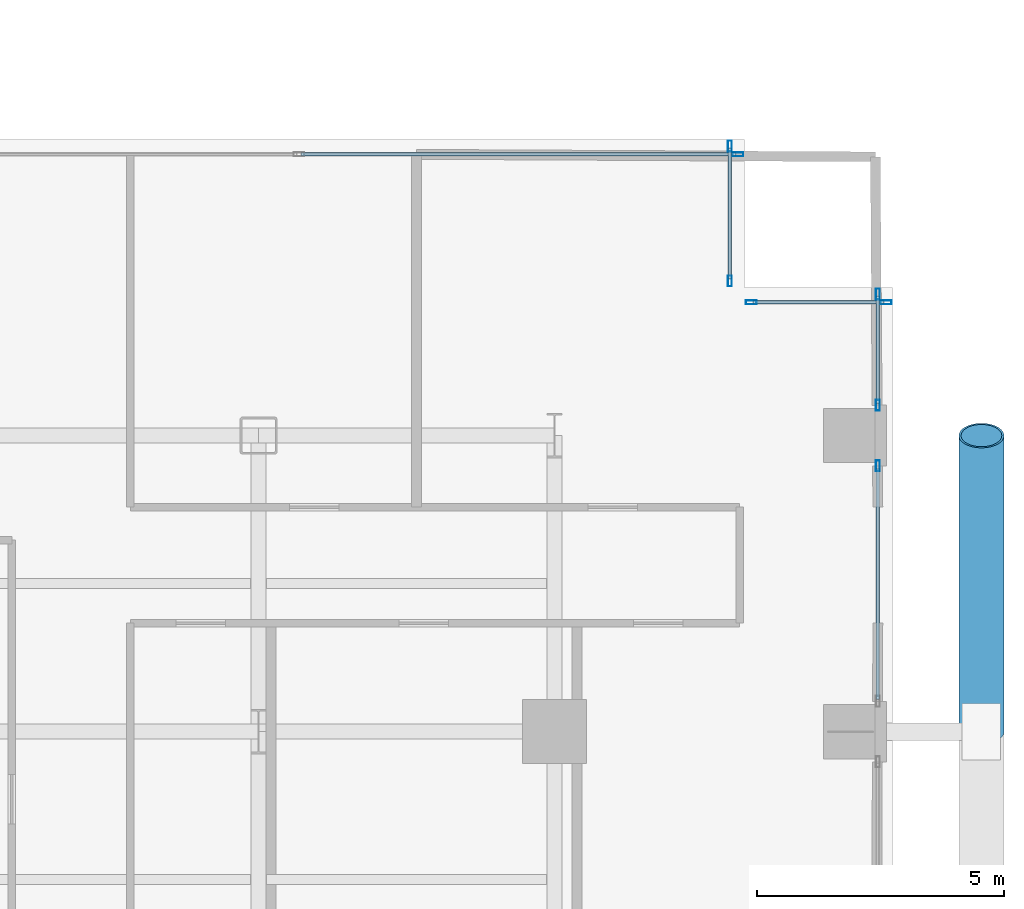
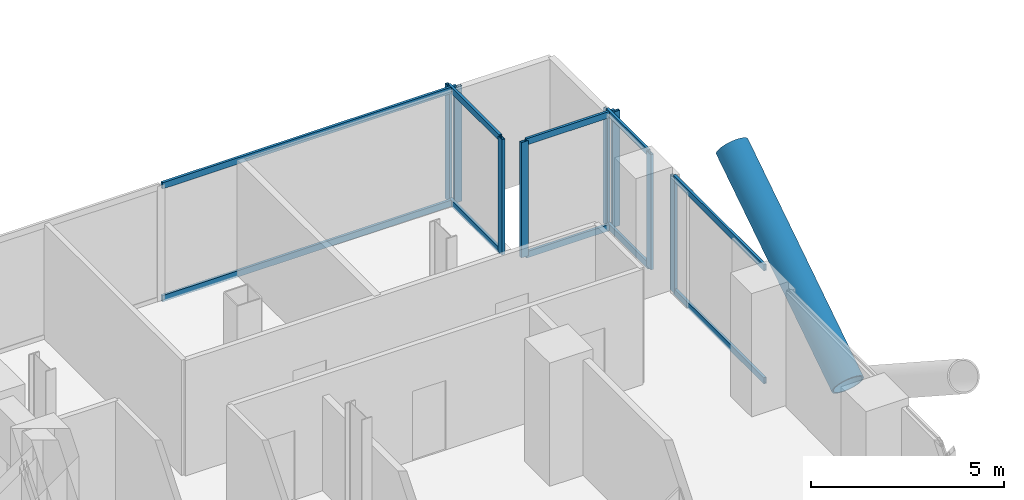
# One storey, part 12 of 25: 19 members, 5 elements without a shape of their own.
"""IFC4 building model written with IfcOpenShell, lengths in metres."""

from ifc_helpers import new_model, si_unit, direction, frame, origin, origin_2d, place, context, subcontext, project, spatial, hollow_rectangle, hollow_circle, extrude, material, layer, layer_set, material_profile, profile_set, type_object, element, aggregate, save


model = new_model("IFC4")

# Units and contexts
model_context = context("Model", 3, precision=1e-05, world=origin(), true_north=direction((0.0, 1.0)))
body_context = subcontext(model_context, "Body", "Model", "MODEL_VIEW")
ifc_project = project(units=[si_unit("LENGTHUNIT", "METRE"), si_unit("AREAUNIT", "SQUARE_METRE"), si_unit("VOLUMEUNIT", "CUBIC_METRE"), si_unit("PLANEANGLEUNIT", "RADIAN"), si_unit("MASSUNIT", "GRAM", prefix="KILO"), si_unit("THERMODYNAMICTEMPERATUREUNIT", "KELVIN"), si_unit("POWERUNIT", "WATT")], contexts=[model_context])

# Site, building, storey
site_placement = place(None, origin())
site = spatial("IfcSite", under=ifc_project, at=site_placement, CompositionType="ELEMENT")
building_placement = place(site_placement, origin())
building = spatial("IfcBuilding", under=site, at=building_placement, Name="Svarakhadi Broadcast Tower", CompositionType="ELEMENT")
storey_placement = place(building_placement, frame((0.0, 0.0, 67.5)))
storey = spatial("IfcBuildingStorey", under=building, at=storey_placement, Name="L15", CompositionType="ELEMENT", Elevation=67.5)

# Curtain wall, member
ifc_material_1 = material(Name="Anodised Bronze Aluminium AA 6063-T6", Category="aluminium")
ifc_layer = layer(ifc_material_1, 0.219970703125)
ifc_layer_set = layer_set([ifc_layer], Name="Anodised Bronze Aluminium AA 6063-T6")
curtain_wall_type = type_object("IfcCurtainWallType", Name="CW_Sys_02", PredefinedType="NOTDEFINED", material=ifc_layer_set)
curtain_wall_1_placement = place(storey_placement, origin())
curtain_wall_1 = element("IfcCurtainWall", 1, at=curtain_wall_1_placement, inside=storey, type_object=curtain_wall_type, Name="L15 Unitised Facade Curtain Wall 10", PredefinedType="NOTDEFINED")
ifc_material_profile_1 = material_profile(ifc_material_1, hollow_rectangle(XDim=0.0849609375, YDim=0.219970703125, WallThickness=0.006103515625, at=origin_2d()), Name="ALU MULLION 220x85x6")
ifc_profile_set_1 = profile_set([ifc_material_profile_1], Name="Anodised Bronze Aluminium AA 6063-T6")
member_type_1 = type_object("IfcMemberType", Name="CW_Sys_02_Mul", PredefinedType="MULLION", material=ifc_profile_set_1)
member_1_placement = place(storey_placement, frame((50.867431640625, 23.699951171875, 0.0), z_axis=(0.0, 0.0, 1.0), x_axis=(0.0, 1.0, 0.0)))
member_1 = element("IfcMember", 2, at=member_1_placement, type_object=member_type_1, Name="CW-02 mullion 4", PredefinedType="MULLION", context=body_context, shape_type="SweptSolid", body=[
    extrude(hollow_rectangle(XDim=0.0849609375, YDim=0.219970703125, WallThickness=0.006103515625, at=origin_2d()), origin(), (0.0, 0.0, 1.0), 3.64990234375),
])

# Curtain wall, members
curtain_wall_2_placement = place(storey_placement, origin())
curtain_wall_2 = element("IfcCurtainWall", 3, at=curtain_wall_2_placement, inside=storey, type_object=curtain_wall_type, Name="L15 Unitised Facade Curtain Wall 11", PredefinedType="NOTDEFINED")
member_2_placement = place(storey_placement, frame((50.699951171875, 23.867431640625, 0.0), z_axis=(0.0, 0.0, 1.0), x_axis=(1.0, 0.0, 0.0)))
member_2 = element("IfcMember", 4, at=member_2_placement, type_object=member_type_1, Name="CW-02 mullion 1", PredefinedType="MULLION", context=body_context, shape_type="SweptSolid", body=[
    extrude(hollow_rectangle(XDim=0.0849609375, YDim=0.219970703125, WallThickness=0.006103515625, at=origin_2d()), origin(), (0.0, 0.0, 1.0), 3.64990234375),
])
member_3_placement = place(storey_placement, frame((50.699951171875, 21.132568359375, 0.0), z_axis=(0.0, 0.0, 1.0), x_axis=(1.0, 0.0, 0.0)))
member_3 = element("IfcMember", 5, at=member_3_placement, type_object=member_type_1, Name="CW-02 mullion 2", PredefinedType="MULLION", context=body_context, shape_type="SweptSolid", body=[
    extrude(hollow_rectangle(XDim=0.0849609375, YDim=0.219970703125, WallThickness=0.006103515625, at=origin_2d()), origin(), (0.0, 0.0, 1.0), 3.64990234375),
])

curtain_wall_3_placement = place(storey_placement, origin())
curtain_wall_3 = element("IfcCurtainWall", 6, at=curtain_wall_3_placement, inside=storey, type_object=curtain_wall_type, Name="L15 Unitised Facade Curtain Wall 12", PredefinedType="NOTDEFINED")
member_4_placement = place(storey_placement, frame((51.132568359375, 20.699951171875, 0.0), z_axis=(0.0, 0.0, 1.0), x_axis=(0.0, 1.0, 0.0)))
member_4 = element("IfcMember", 7, at=member_4_placement, type_object=member_type_1, Name="CW-02 mullion 1", PredefinedType="MULLION", context=body_context, shape_type="SweptSolid", body=[
    extrude(hollow_rectangle(XDim=0.0849609375, YDim=0.219970703125, WallThickness=0.006103515625, at=origin_2d()), origin(), (0.0, 0.0, 1.0), 3.64990234375),
])
member_5_placement = place(storey_placement, frame((53.867431640625, 20.699951171875, 0.0), z_axis=(0.0, 0.0, 1.0), x_axis=(0.0, 1.0, 0.0)))
member_5 = element("IfcMember", 8, at=member_5_placement, type_object=member_type_1, Name="CW-02 mullion 2", PredefinedType="MULLION", context=body_context, shape_type="SweptSolid", body=[
    extrude(hollow_rectangle(XDim=0.0849609375, YDim=0.219970703125, WallThickness=0.006103515625, at=origin_2d()), origin(), (0.0, 0.0, 1.0), 3.64990234375),
])

curtain_wall_4_placement = place(storey_placement, origin())
curtain_wall_4 = element("IfcCurtainWall", 9, at=curtain_wall_4_placement, inside=storey, type_object=curtain_wall_type, Name="L15 Unitised Facade Curtain Wall 13 Bay 1", PredefinedType="NOTDEFINED")
member_6_placement = place(storey_placement, frame((53.699951171875, 20.867431640625, 0.0), z_axis=(0.0, 0.0, 1.0), x_axis=(1.0, 0.0, 0.0)))
member_6 = element("IfcMember", 10, at=member_6_placement, type_object=member_type_1, Name="CW-02 mullion 1", PredefinedType="MULLION", context=body_context, shape_type="SweptSolid", body=[
    extrude(hollow_rectangle(XDim=0.0849609375, YDim=0.219970703125, WallThickness=0.006103515625, at=origin_2d()), origin(), (0.0, 0.0, 1.0), 3.64990234375),
])
member_7_placement = place(storey_placement, frame((53.699951171875, 18.612548828125, 0.0), z_axis=(0.0, 0.0, 1.0), x_axis=(1.0, 0.0, 0.0)))
member_7 = element("IfcMember", 11, at=member_7_placement, type_object=member_type_1, Name="CW-02 mullion 2", PredefinedType="MULLION", context=body_context, shape_type="SweptSolid", body=[
    extrude(hollow_rectangle(XDim=0.0849609375, YDim=0.219970703125, WallThickness=0.006103515625, at=origin_2d()), origin(), (0.0, 0.0, 1.0), 3.64990234375),
])

# Curtain wall, member
curtain_wall_5_placement = place(storey_placement, origin())
curtain_wall_5 = element("IfcCurtainWall", 12, at=curtain_wall_5_placement, inside=storey, type_object=curtain_wall_type, Name="L15 Unitised Facade Curtain Wall 13 Bay 2", PredefinedType="NOTDEFINED")
member_8_placement = place(storey_placement, frame((53.699951171875, 17.387451171875, 0.0), z_axis=(0.0, 0.0, 1.0), x_axis=(1.0, 0.0, 0.0)))
member_8 = element("IfcMember", 13, at=member_8_placement, type_object=member_type_1, Name="CW-02 mullion 1", PredefinedType="MULLION", context=body_context, shape_type="SweptSolid", body=[
    extrude(hollow_rectangle(XDim=0.0849609375, YDim=0.219970703125, WallThickness=0.006103515625, at=origin_2d()), origin(), (0.0, 0.0, 1.0), 3.64990234375),
])

# Member
ifc_material_profile_2 = material_profile(ifc_material_1, hollow_rectangle(XDim=0.074951171875, YDim=0.199951171875, WallThickness=0.0048828125, at=origin_2d()), Name="ALU TRANSOM 200x75x5")
ifc_profile_set_2 = profile_set([ifc_material_profile_2], Name="Anodised Bronze Aluminium AA 6063-T6")
member_type_2 = type_object("IfcMemberType", Name="CW_Sys_02_Trn", PredefinedType="USERDEFINED", material=ifc_profile_set_2)
member_9_placement = place(storey_placement, frame((42.012451171875, 23.699951171875, 0.03759765625), z_axis=(1.0, 0.0, 0.0), x_axis=(0.0, 1.0, 0.0)))
member_9 = element("IfcMember", 14, at=member_9_placement, type_object=member_type_2, Name="CW-02 transom 3.1", ObjectType="TRANSOM", PredefinedType="USERDEFINED", context=body_context, shape_type="SweptSolid", body=[
    extrude(hollow_rectangle(XDim=0.074951171875, YDim=0.199951171875, WallThickness=0.0048828125, at=origin_2d()), origin(), (0.0, 0.0, 1.0), 8.8125),
])

member_10_placement = place(storey_placement, frame((42.012451171875, 23.699951171875, 3.612548828125), z_axis=(1.0, 0.0, 0.0), x_axis=(0.0, 1.0, 0.0)))
member_10 = element("IfcMember", 15, at=member_10_placement, type_object=member_type_2, Name="CW-02 transom 3.2", ObjectType="TRANSOM", PredefinedType="USERDEFINED", context=body_context, shape_type="SweptSolid", body=[
    extrude(hollow_rectangle(XDim=0.074951171875, YDim=0.199951171875, WallThickness=0.0048828125, at=origin_2d()), origin(), (0.0, 0.0, 1.0), 8.8125),
])

aggregate(curtain_wall_1, [member_1, member_9, member_10])

member_11_placement = place(storey_placement, frame((50.699951171875, 23.824951171875, 0.03759765625), z_axis=(0.0, -1.0, 0.0), x_axis=(1.0, 0.0, 0.0)))
member_11 = element("IfcMember", 16, at=member_11_placement, type_object=member_type_2, Name="CW-02 transom 1.1", ObjectType="TRANSOM", PredefinedType="USERDEFINED", context=body_context, shape_type="SweptSolid", body=[
    extrude(hollow_rectangle(XDim=0.074951171875, YDim=0.199951171875, WallThickness=0.0048828125, at=origin_2d()), origin(), (0.0, 0.0, 1.0), 2.64990234375),
])

member_12_placement = place(storey_placement, frame((50.699951171875, 23.824951171875, 3.612548828125), z_axis=(0.0, -1.0, 0.0), x_axis=(1.0, 0.0, 0.0)))
member_12 = element("IfcMember", 17, at=member_12_placement, type_object=member_type_2, Name="CW-02 transom 1.2", ObjectType="TRANSOM", PredefinedType="USERDEFINED", context=body_context, shape_type="SweptSolid", body=[
    extrude(hollow_rectangle(XDim=0.074951171875, YDim=0.199951171875, WallThickness=0.0048828125, at=origin_2d()), origin(), (0.0, 0.0, 1.0), 2.64990234375),
])

aggregate(curtain_wall_2, [member_2, member_3, member_11, member_12])

member_13_placement = place(storey_placement, frame((51.175048828125, 20.699951171875, 0.03759765625), z_axis=(1.0, 0.0, 0.0), x_axis=(0.0, 1.0, 0.0)))
member_13 = element("IfcMember", 18, at=member_13_placement, type_object=member_type_2, Name="CW-02 transom 1.1", ObjectType="TRANSOM", PredefinedType="USERDEFINED", context=body_context, shape_type="SweptSolid", body=[
    extrude(hollow_rectangle(XDim=0.074951171875, YDim=0.199951171875, WallThickness=0.0048828125, at=origin_2d()), origin(), (0.0, 0.0, 1.0), 2.64990234375),
])

member_14_placement = place(storey_placement, frame((51.175048828125, 20.699951171875, 3.612548828125), z_axis=(1.0, 0.0, 0.0), x_axis=(0.0, 1.0, 0.0)))
member_14 = element("IfcMember", 19, at=member_14_placement, type_object=member_type_2, Name="CW-02 transom 1.2", ObjectType="TRANSOM", PredefinedType="USERDEFINED", context=body_context, shape_type="SweptSolid", body=[
    extrude(hollow_rectangle(XDim=0.074951171875, YDim=0.199951171875, WallThickness=0.0048828125, at=origin_2d()), origin(), (0.0, 0.0, 1.0), 2.64990234375),
])

aggregate(curtain_wall_3, [member_4, member_5, member_13, member_14])

member_15_placement = place(storey_placement, frame((53.699951171875, 20.824951171875, 0.03759765625), z_axis=(0.0, -1.0, 0.0), x_axis=(1.0, 0.0, 0.0)))
member_15 = element("IfcMember", 20, at=member_15_placement, type_object=member_type_2, Name="CW-02 transom 1.1", ObjectType="TRANSOM", PredefinedType="USERDEFINED", context=body_context, shape_type="SweptSolid", body=[
    extrude(hollow_rectangle(XDim=0.074951171875, YDim=0.199951171875, WallThickness=0.0048828125, at=origin_2d()), origin(), (0.0, 0.0, 1.0), 2.169921875),
])

member_16_placement = place(storey_placement, frame((53.699951171875, 20.824951171875, 3.612548828125), z_axis=(0.0, -1.0, 0.0), x_axis=(1.0, 0.0, 0.0)))
member_16 = element("IfcMember", 21, at=member_16_placement, type_object=member_type_2, Name="CW-02 transom 1.2", ObjectType="TRANSOM", PredefinedType="USERDEFINED", context=body_context, shape_type="SweptSolid", body=[
    extrude(hollow_rectangle(XDim=0.074951171875, YDim=0.199951171875, WallThickness=0.0048828125, at=origin_2d()), origin(), (0.0, 0.0, 1.0), 2.169921875),
])

aggregate(curtain_wall_4, [member_6, member_7, member_15, member_16])

member_17_placement = place(storey_placement, frame((53.699951171875, 17.344970703125, 0.03759765625), z_axis=(0.0, -1.0, 0.0), x_axis=(1.0, 0.0, 0.0)))
member_17 = element("IfcMember", 22, at=member_17_placement, type_object=member_type_2, Name="CW-02 transom 1.1", ObjectType="TRANSOM", PredefinedType="USERDEFINED", context=body_context, shape_type="SweptSolid", body=[
    extrude(hollow_rectangle(XDim=0.074951171875, YDim=0.199951171875, WallThickness=0.0048828125, at=origin_2d()), origin(), (0.0, 0.0, 1.0), 4.68994140625),
])

member_18_placement = place(storey_placement, frame((53.699951171875, 17.344970703125, 3.612548828125), z_axis=(0.0, -1.0, 0.0), x_axis=(1.0, 0.0, 0.0)))
member_18 = element("IfcMember", 23, at=member_18_placement, type_object=member_type_2, Name="CW-02 transom 1.2", ObjectType="TRANSOM", PredefinedType="USERDEFINED", context=body_context, shape_type="SweptSolid", body=[
    extrude(hollow_rectangle(XDim=0.074951171875, YDim=0.199951171875, WallThickness=0.0048828125, at=origin_2d()), origin(), (0.0, 0.0, 1.0), 4.68994140625),
])

aggregate(curtain_wall_5, [member_8, member_17, member_18])

ifc_material_2 = material(Name="Steel S460ML (IS 2062 E450BR)", Category="steel")
ifc_material_profile_3 = material_profile(ifc_material_2, hollow_circle(Radius=0.45703125, WallThickness=0.044921875, at=origin_2d()), Name="CHS 914x45")
ifc_profile_set_3 = profile_set([ifc_material_profile_3], Name="Steel S460ML (IS 2062 E450BR)")
member_type_3 = type_object("IfcMemberType", Name="Exo_Brace_CHS914", PredefinedType="BRACE", material=ifc_profile_set_3)
member_19_placement = place(storey_placement, frame((55.800048828125, 12.0, -0.427734375), z_axis=(0.0, 0.838449851971, 0.544978757136), x_axis=(-1.0, 0.0, 0.0)))
element("IfcMember", 24, at=member_19_placement, inside=storey, type_object=member_type_3, Name="L15 Exposed Bronze Exoskeleton Diagonal E09", PredefinedType="BRACE", context=body_context, shape_type="SweptSolid", body=[
    extrude(hollow_circle(Radius=0.45703125, WallThickness=0.044921875, at=origin_2d()), origin(), (0.0, 0.0, 1.0), 7.156005859375),
])

save(model, "model.ifc")
